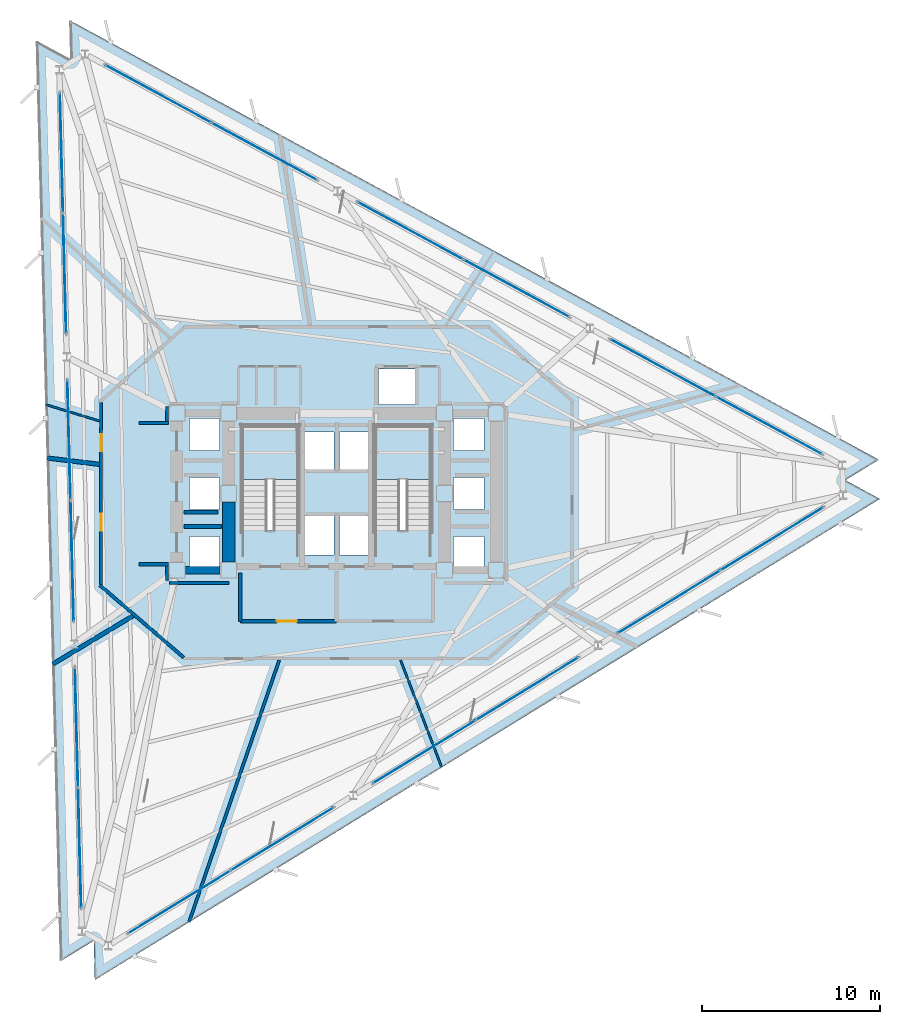
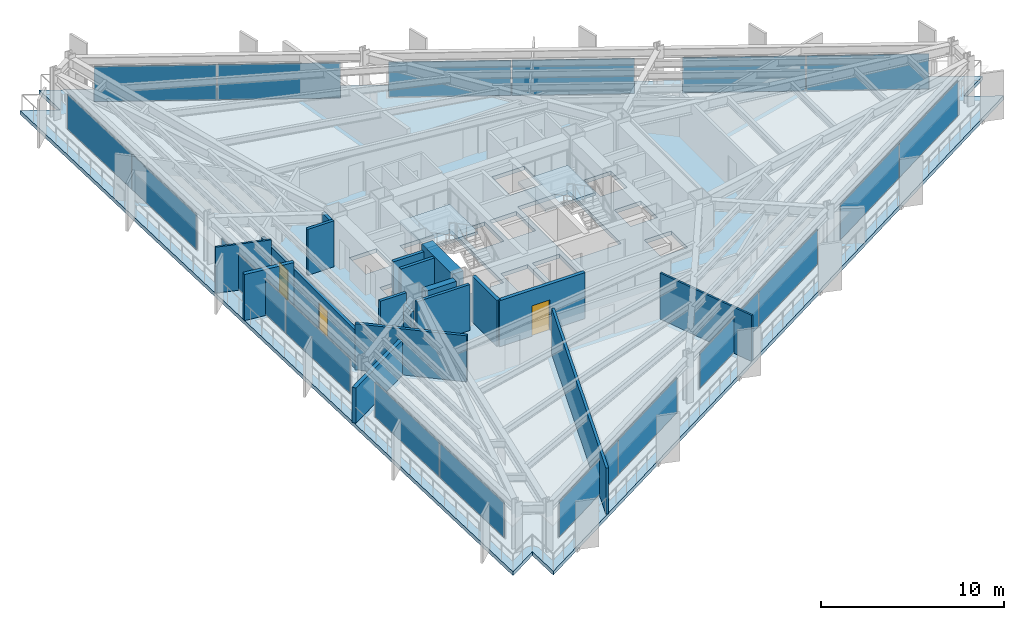
# One storey, part 7 of 14: 18 plates, 18 walls, 3 doors, 3 slabs, 3 openings, 11 elements without a shape of their own.
"""IFC4 building model written with IfcOpenShell, lengths in metres."""

from ifc_helpers import new_model, si_unit, direction, frame, frame_2d, origin, origin_2d, place, context, subcontext, project, spatial, polyline, rectangle, outline, extrude, material, layer, layer_set, type_object, element, fill, aggregate, save


model = new_model("IFC4")

# Units and contexts
model_context = context("Model", 3, precision=1e-05, world=origin(), true_north=direction((0.0, 1.0)))
body_context = subcontext(model_context, "Body", "Model", "MODEL_VIEW")
ifc_project = project(units=[si_unit("LENGTHUNIT", "METRE"), si_unit("AREAUNIT", "SQUARE_METRE"), si_unit("VOLUMEUNIT", "CUBIC_METRE"), si_unit("PLANEANGLEUNIT", "RADIAN"), si_unit("MASSUNIT", "GRAM", prefix="KILO")], contexts=[model_context])

# Site, building, storey
site_placement = place(None, origin())
site = spatial("IfcSite", under=ifc_project, at=site_placement, CompositionType="ELEMENT")
building_placement = place(site_placement, origin())
building = spatial("IfcBuilding", under=site, at=building_placement, Name="Rocaltana Carrier Exchange", CompositionType="ELEMENT")
storey_placement = place(building_placement, frame((0.0, 0.0, 32.320068359375)))
storey = spatial("IfcBuildingStorey", under=building, at=storey_placement, Name="L10", CompositionType="ELEMENT", Elevation=32.320068359375)

# Curtain wall, plates
ifc_material_1 = material(Name="Aluminium 6063-T6", Category="aluminium")
ifc_layer_1 = layer(ifc_material_1, 0.179931640625)
ifc_layer_set_1 = layer_set([ifc_layer_1], Name="Aluminium 6063-T6")
curtain_wall_type = type_object("IfcCurtainWallType", Name="Sandstone Spandrel Unitised Curtain Wall CW-01", PredefinedType="NOTDEFINED", material=ifc_layer_set_1)
curtain_wall_1_placement = place(storey_placement, origin())
curtain_wall_1 = element("IfcCurtainWall", 1, at=curtain_wall_1_placement, inside=storey, type_object=curtain_wall_type, Name="L10 CW-01 Run CW-L10-F1S1", PredefinedType="NOTDEFINED")
ifc_material_2 = material(Name="Tempered Laminated Glass", Category="glass")
ifc_layer_2 = layer(ifc_material_2, 0.0439453125)
ifc_layer_set_2 = layer_set([ifc_layer_2], Name="Tempered Laminated Glass")
plate_type = type_object("IfcPlateType", Name="CW-01 Stone-Insulated Vision Panel", PredefinedType="CURTAIN_PANEL", material=ifc_layer_set_2)
plate_1_placement = place(storey_placement, frame((24.23974609375, 3.8115234375, 0.06494140625), z_axis=(0.0, 0.0, 1.0), x_axis=(-0.878815639636, 0.477161473226, 0.0)))
plate_1 = element("IfcPlate", 2, at=plate_1_placement, type_object=plate_type, Name="CW-01 panel 1.1", PredefinedType="CURTAIN_PANEL", context=body_context, shape_type="SweptSolid", body=[
    extrude(rectangle(XDim=6.702392578125, YDim=0.0439453125, at=origin_2d()), origin(), (0.0, 0.0, 1.0), 2.347900390625),
])
plate_2_placement = place(storey_placement, frame((18.29248046875, 7.04052734375, 0.06494140625), z_axis=(0.0, 0.0, 1.0), x_axis=(-0.878815639636, 0.477161473226, 0.0)))
plate_2 = element("IfcPlate", 3, at=plate_2_placement, type_object=plate_type, Name="CW-01 panel 2.1", PredefinedType="CURTAIN_PANEL", context=body_context, shape_type="SweptSolid", body=[
    extrude(rectangle(XDim=6.702392578125, YDim=0.0439453125, at=origin_2d()), origin(), (0.0, 0.0, 1.0), 2.347900390625),
])
aggregate(curtain_wall_1, [plate_1, plate_2])

curtain_wall_2_placement = place(storey_placement, origin())
curtain_wall_2 = element("IfcCurtainWall", 4, at=curtain_wall_2_placement, inside=storey, type_object=curtain_wall_type, Name="L10 CW-01 Run CW-L10-F1S2", PredefinedType="NOTDEFINED")
plate_3_placement = place(storey_placement, frame((10.0908203125, 11.49365234375, 0.06494140625), z_axis=(0.0, 0.0, 1.0), x_axis=(-0.878814230428, 0.477164068636, 0.0)))
plate_3 = element("IfcPlate", 5, at=plate_3_placement, type_object=plate_type, Name="CW-01 panel 1.1", PredefinedType="CURTAIN_PANEL", context=body_context, shape_type="SweptSolid", body=[
    extrude(rectangle(XDim=6.70263671875, YDim=0.0439453125, at=origin_2d()), origin(), (0.0, 0.0, 1.0), 2.347900390625),
])
plate_4_placement = place(storey_placement, frame((4.1435546875, 14.722900390625, 0.06494140625), z_axis=(0.0, 0.0, 1.0), x_axis=(-0.878814230428, 0.477164068636, 0.0)))
plate_4 = element("IfcPlate", 6, at=plate_4_placement, type_object=plate_type, Name="CW-01 panel 2.1", PredefinedType="CURTAIN_PANEL", context=body_context, shape_type="SweptSolid", body=[
    extrude(rectangle(XDim=6.70263671875, YDim=0.0439453125, at=origin_2d()), origin(), (0.0, 0.0, 1.0), 2.347900390625),
])
aggregate(curtain_wall_2, [plate_3, plate_4])

curtain_wall_3_placement = place(storey_placement, origin())
curtain_wall_3 = element("IfcCurtainWall", 7, at=curtain_wall_3_placement, inside=storey, type_object=curtain_wall_type, Name="L10 CW-01 Run CW-L10-F1S3", PredefinedType="NOTDEFINED")
plate_5_placement = place(storey_placement, frame((-4.05810546875, 19.176025390625, 0.06494140625), z_axis=(0.0, 0.0, 1.0), x_axis=(-0.878818722982, 0.477155794406, 0.0)))
plate_5 = element("IfcPlate", 8, at=plate_5_placement, type_object=plate_type, Name="CW-01 panel 1.1", PredefinedType="CURTAIN_PANEL", context=body_context, shape_type="SweptSolid", body=[
    extrude(rectangle(XDim=6.702392578125, YDim=0.0439453125, at=origin_2d()), origin(), (0.0, 0.0, 1.0), 2.347900390625),
])
plate_6_placement = place(storey_placement, frame((-10.00537109375, 22.405029296875, 0.06494140625), z_axis=(0.0, 0.0, 1.0), x_axis=(-0.878818722982, 0.477155794406, 0.0)))
plate_6 = element("IfcPlate", 9, at=plate_6_placement, type_object=plate_type, Name="CW-01 panel 2.1", PredefinedType="CURTAIN_PANEL", context=body_context, shape_type="SweptSolid", body=[
    extrude(rectangle(XDim=6.702392578125, YDim=0.0439453125, at=origin_2d()), origin(), (0.0, 0.0, 1.0), 2.347900390625),
])
aggregate(curtain_wall_3, [plate_5, plate_6])

curtain_wall_4_placement = place(storey_placement, origin())
curtain_wall_4 = element("IfcCurtainWall", 10, at=curtain_wall_4_placement, inside=storey, type_object=curtain_wall_type, Name="L10 CW-01 Run CW-L10-F2S1", PredefinedType="NOTDEFINED")
plate_7_placement = place(storey_placement, frame((-15.420654296875, 19.086669921875, 0.06494140625), z_axis=(0.0, 0.0, 1.0), x_axis=(0.026183895077, -0.999657143044, 0.0)))
plate_7 = element("IfcPlate", 11, at=plate_7_placement, type_object=plate_type, Name="CW-01 panel 1.1", PredefinedType="CURTAIN_PANEL", context=body_context, shape_type="SweptSolid", body=[
    extrude(rectangle(XDim=6.702392578125, YDim=0.0439453125, at=origin_2d()), origin(), (0.0, 0.0, 1.0), 2.347900390625),
])
plate_8_placement = place(storey_placement, frame((-15.24365234375, 12.321533203125, 0.06494140625), z_axis=(0.0, 0.0, 1.0), x_axis=(0.026183895077, -0.999657143044, 0.0)))
plate_8 = element("IfcPlate", 12, at=plate_8_placement, type_object=plate_type, Name="CW-01 panel 2.1", PredefinedType="CURTAIN_PANEL", context=body_context, shape_type="SweptSolid", body=[
    extrude(rectangle(XDim=6.702392578125, YDim=0.0439453125, at=origin_2d()), origin(), (0.0, 0.0, 1.0), 2.347900390625),
])
aggregate(curtain_wall_4, [plate_7, plate_8])

curtain_wall_5_placement = place(storey_placement, origin())
curtain_wall_5 = element("IfcCurtainWall", 13, at=curtain_wall_5_placement, inside=storey, type_object=curtain_wall_type, Name="L10 CW-01 Run CW-L10-F2S2", PredefinedType="NOTDEFINED")
plate_9_placement = place(storey_placement, frame((-14.999267578125, 2.9921875, 0.06494140625), z_axis=(0.0, 0.0, 1.0), x_axis=(0.026176547142, -0.99965733548, 0.0)))
plate_9 = element("IfcPlate", 14, at=plate_9_placement, type_object=plate_type, Name="CW-01 panel 1.1", PredefinedType="CURTAIN_PANEL", context=body_context, shape_type="SweptSolid", body=[
    extrude(rectangle(XDim=6.702392578125, YDim=0.0439453125, at=origin_2d()), origin(), (0.0, 0.0, 1.0), 2.347900390625),
])
plate_10_placement = place(storey_placement, frame((-14.822021484375, -3.77294921875, 0.06494140625), z_axis=(0.0, 0.0, 1.0), x_axis=(0.026176547142, -0.99965733548, 0.0)))
plate_10 = element("IfcPlate", 15, at=plate_10_placement, type_object=plate_type, Name="CW-01 panel 2.1", PredefinedType="CURTAIN_PANEL", context=body_context, shape_type="SweptSolid", body=[
    extrude(rectangle(XDim=6.702392578125, YDim=0.0439453125, at=origin_2d()), origin(), (0.0, 0.0, 1.0), 2.347900390625),
])
aggregate(curtain_wall_5, [plate_9, plate_10])

curtain_wall_6_placement = place(storey_placement, origin())
curtain_wall_6 = element("IfcCurtainWall", 16, at=curtain_wall_6_placement, inside=storey, type_object=curtain_wall_type, Name="L10 CW-01 Run CW-L10-F2S3", PredefinedType="NOTDEFINED")
plate_11_placement = place(storey_placement, frame((-14.577880859375, -13.102294921875, 0.06494140625), z_axis=(0.0, 0.0, 1.0), x_axis=(0.026183895077, -0.999657143044, 0.0)))
plate_11 = element("IfcPlate", 17, at=plate_11_placement, type_object=plate_type, Name="CW-01 panel 1.1", PredefinedType="CURTAIN_PANEL", context=body_context, shape_type="SweptSolid", body=[
    extrude(rectangle(XDim=6.702392578125, YDim=0.0439453125, at=origin_2d()), origin(), (0.0, 0.0, 1.0), 2.347900390625),
])
plate_12_placement = place(storey_placement, frame((-14.400634765625, -19.867431640625, 0.06494140625), z_axis=(0.0, 0.0, 1.0), x_axis=(0.026183895077, -0.999657143044, 0.0)))
plate_12 = element("IfcPlate", 18, at=plate_12_placement, type_object=plate_type, Name="CW-01 panel 2.1", PredefinedType="CURTAIN_PANEL", context=body_context, shape_type="SweptSolid", body=[
    extrude(rectangle(XDim=6.702392578125, YDim=0.0439453125, at=origin_2d()), origin(), (0.0, 0.0, 1.0), 2.347900390625),
])
aggregate(curtain_wall_6, [plate_11, plate_12])

curtain_wall_7_placement = place(storey_placement, origin())
curtain_wall_7 = element("IfcCurtainWall", 19, at=curtain_wall_7_placement, inside=storey, type_object=curtain_wall_type, Name="L10 CW-01 Run CW-L10-F3S1", PredefinedType="NOTDEFINED")
plate_13_placement = place(storey_placement, frame((-8.819091796875, -22.898193359375, 0.06494140625), z_axis=(0.0, 0.0, 1.0), x_axis=(0.852636123996, 0.522505157925, 0.0)))
plate_13 = element("IfcPlate", 20, at=plate_13_placement, type_object=plate_type, Name="CW-01 panel 1.1", PredefinedType="CURTAIN_PANEL", context=body_context, shape_type="SweptSolid", body=[
    extrude(rectangle(XDim=6.70263671875, YDim=0.0439453125, at=origin_2d()), origin(), (0.0, 0.0, 1.0), 2.347900390625),
])
plate_14_placement = place(storey_placement, frame((-3.048828125, -19.362060546875, 0.06494140625), z_axis=(0.0, 0.0, 1.0), x_axis=(0.852636123996, 0.522505157925, 0.0)))
plate_14 = element("IfcPlate", 21, at=plate_14_placement, type_object=plate_type, Name="CW-01 panel 2.1", PredefinedType="CURTAIN_PANEL", context=body_context, shape_type="SweptSolid", body=[
    extrude(rectangle(XDim=6.70263671875, YDim=0.0439453125, at=origin_2d()), origin(), (0.0, 0.0, 1.0), 2.347900390625),
])
aggregate(curtain_wall_7, [plate_13, plate_14])

curtain_wall_8_placement = place(storey_placement, origin())
curtain_wall_8 = element("IfcCurtainWall", 22, at=curtain_wall_8_placement, inside=storey, type_object=curtain_wall_type, Name="L10 CW-01 Run CW-L10-F3S2", PredefinedType="NOTDEFINED")
plate_15_placement = place(storey_placement, frame((4.908447265625, -14.48583984375, 0.06494140625), z_axis=(0.0, 0.0, 1.0), x_axis=(0.852639399762, 0.522499812415, 0.0)))
plate_15 = element("IfcPlate", 23, at=plate_15_placement, type_object=plate_type, Name="CW-01 panel 1.1", PredefinedType="CURTAIN_PANEL", context=body_context, shape_type="SweptSolid", body=[
    extrude(rectangle(XDim=6.702392578125, YDim=0.0439453125, at=origin_2d()), origin(), (0.0, 0.0, 1.0), 2.347900390625),
])
plate_16_placement = place(storey_placement, frame((10.678466796875, -10.94970703125, 0.06494140625), z_axis=(0.0, 0.0, 1.0), x_axis=(0.852639399762, 0.522499812415, 0.0)))
plate_16 = element("IfcPlate", 24, at=plate_16_placement, type_object=plate_type, Name="CW-01 panel 2.1", PredefinedType="CURTAIN_PANEL", context=body_context, shape_type="SweptSolid", body=[
    extrude(rectangle(XDim=6.702392578125, YDim=0.0439453125, at=origin_2d()), origin(), (0.0, 0.0, 1.0), 2.347900390625),
])
aggregate(curtain_wall_8, [plate_15, plate_16])

curtain_wall_9_placement = place(storey_placement, origin())
curtain_wall_9 = element("IfcCurtainWall", 25, at=curtain_wall_9_placement, inside=storey, type_object=curtain_wall_type, Name="L10 CW-01 Run CW-L10-F3S3", PredefinedType="NOTDEFINED")
plate_17_placement = place(storey_placement, frame((18.6357421875, -6.07373046875, 0.06494140625), z_axis=(0.0, 0.0, 1.0), x_axis=(0.852639399762, 0.522499812415, 0.0)))
plate_17 = element("IfcPlate", 26, at=plate_17_placement, type_object=plate_type, Name="CW-01 panel 1.1", PredefinedType="CURTAIN_PANEL", context=body_context, shape_type="SweptSolid", body=[
    extrude(rectangle(XDim=6.702392578125, YDim=0.0439453125, at=origin_2d()), origin(), (0.0, 0.0, 1.0), 2.347900390625),
])
plate_18_placement = place(storey_placement, frame((24.406005859375, -2.53759765625, 0.06494140625), z_axis=(0.0, 0.0, 1.0), x_axis=(0.852639399762, 0.522499812415, 0.0)))
plate_18 = element("IfcPlate", 27, at=plate_18_placement, type_object=plate_type, Name="CW-01 panel 2.1", PredefinedType="CURTAIN_PANEL", context=body_context, shape_type="SweptSolid", body=[
    extrude(rectangle(XDim=6.702392578125, YDim=0.0439453125, at=origin_2d()), origin(), (0.0, 0.0, 1.0), 2.347900390625),
])
aggregate(curtain_wall_9, [plate_17, plate_18])

# Slab
ifc_material_3 = material(Name="Concrete C60/75", Category="concrete")
ifc_layer_3 = layer(ifc_material_3, 0.260009765625)
ifc_layer_set_3 = layer_set([ifc_layer_3], Name="Concrete C60/75")
slab_type_1 = type_object("IfcSlabType", Name="Low-Zone Tower Slab 260", PredefinedType="FLOOR", material=ifc_layer_set_3)
slab_1_placement = place(storey_placement, frame((0.0, 0.0, -0.260009765625)))
element("IfcSlab", 28, at=slab_1_placement, inside=storey, type_object=slab_type_1, Name="L10 Structural Floor Slab", PredefinedType="FLOOR", context=body_context, shape_type="SweptSolid", body=[
    extrude(outline(polyline([(30.444580078125, -0.30322265625), (28.51123046875, 0.74658203125), (30.38720703125, 1.89599609375), (-14.959716796875, 26.517578125), (-14.902099609375, 24.318115234375), (-16.835693359375, 25.367919921875), (-15.48486328125, -26.21435546875), (-13.609130859375, -25.064697265625), (-13.551513671875, -27.26416015625), (30.444580078125, -0.30322265625)]), holes=[polyline([(-5.300048828125, -2.06005859375), (-2.139892578125, -2.06005859375), (-2.139892578125, 3.800048828125), (-5.300048828125, 3.800048828125), (-5.300048828125, -2.06005859375)]), polyline([(2.139892578125, -2.06005859375), (5.300048828125, -2.06005859375), (5.300048828125, 3.800048828125), (2.139892578125, 3.800048828125), (2.139892578125, -2.06005859375)]), polyline([(-1.85009765625, -3.449951171875), (-0.14990234375, -3.449951171875), (-0.14990234375, -1.25), (-1.85009765625, -1.25), (-1.85009765625, -3.449951171875)]), polyline([(0.14990234375, -3.449951171875), (1.85009765625, -3.449951171875), (1.85009765625, -1.25), (0.14990234375, -1.25), (0.14990234375, -3.449951171875)]), polyline([(2.35009765625, 4.97998046875), (4.39990234375, 4.97998046875), (4.39990234375, 6.97998046875), (2.35009765625, 6.97998046875), (2.35009765625, 4.97998046875)]), polyline([(-1.85009765625, 1.35009765625), (-0.14990234375, 1.35009765625), (-0.14990234375, 3.449951171875), (-1.85009765625, 3.449951171875), (-1.85009765625, 1.35009765625)]), polyline([(0.14990234375, 1.35009765625), (1.85009765625, 1.35009765625), (1.85009765625, 3.449951171875), (0.14990234375, 3.449951171875), (0.14990234375, 1.35009765625)]), polyline([(-8.25, -4.199951171875), (-6.550048828125, -4.199951171875), (-6.550048828125, -2.39990234375), (-8.25, -2.39990234375), (-8.25, -4.199951171875)]), polyline([(-8.25, -0.89990234375), (-6.550048828125, -0.89990234375), (-6.550048828125, 0.89990234375), (-8.25, 0.89990234375), (-8.25, -0.89990234375)]), polyline([(-8.25, 2.39990234375), (-6.550048828125, 2.39990234375), (-6.550048828125, 4.199951171875), (-8.25, 4.199951171875), (-8.25, 2.39990234375)]), polyline([(6.550048828125, -4.199951171875), (8.25, -4.199951171875), (8.25, -2.39990234375), (6.550048828125, -2.39990234375), (6.550048828125, -4.199951171875)]), polyline([(6.550048828125, -0.89990234375), (8.25, -0.89990234375), (8.25, 0.89990234375), (6.550048828125, 0.89990234375), (6.550048828125, -0.89990234375)]), polyline([(6.550048828125, 2.39990234375), (8.25, 2.39990234375), (8.25, 4.199951171875), (6.550048828125, 4.199951171875), (6.550048828125, 2.39990234375)])]), origin(), (0.0, 0.0, 1.0), 0.260009765625),
])

# Stair, slab
ifc_material_4 = material(Name="Precast concrete C45/55", Category="concrete")
stair_type = type_object("IfcStairType", Name="Standard Dog-Leg Stair 160", PredefinedType="HALF_TURN_STAIR", material=ifc_material_4)
stair_1_placement = place(storey_placement, origin())
stair_1 = element("IfcStair", 29, at=stair_1_placement, inside=storey, type_object=stair_type, Name="L10 Core West Exit Stair ST-1", PredefinedType="HALF_TURN_STAIR")
ifc_material_5 = material(Name="Precast concrete C45/55", Category="concrete")
ifc_layer_4 = layer(ifc_material_5, 0.199951171875)
ifc_layer_set_4 = layer_set([ifc_layer_4], Name="Precast concrete C45/55")
slab_type_2 = type_object("IfcSlabType", Name="Precast Stair Half-Landing 200", PredefinedType="LANDING", material=ifc_layer_set_4)
slab_2_placement = place(storey_placement, frame((0.0, 0.0, 1.47998046875)))
slab_2 = element("IfcSlab", 30, at=slab_2_placement, type_object=slab_type_2, Name="ST-1 landing 1", PredefinedType="LANDING", context=body_context, shape_type="SweptSolid", body=[
    extrude(outline(polyline([(-2.139892578125, 0.780029296875), (-2.139892578125, 3.800048828125), (-5.300048828125, 3.800048828125), (-5.300048828125, 0.780029296875), (-2.139892578125, 0.780029296875)])), origin(), (0.0, 0.0, 1.0), 0.199951171875),
])
aggregate(stair_1, [slab_2])

stair_2_placement = place(storey_placement, origin())
stair_2 = element("IfcStair", 31, at=stair_2_placement, inside=storey, type_object=stair_type, Name="L10 Core East Exit Stair ST-2", PredefinedType="HALF_TURN_STAIR")
slab_3_placement = place(storey_placement, frame((0.0, 0.0, 1.47998046875)))
slab_3 = element("IfcSlab", 32, at=slab_3_placement, type_object=slab_type_2, Name="ST-2 landing 1", PredefinedType="LANDING", context=body_context, shape_type="SweptSolid", body=[
    extrude(outline(polyline([(5.300048828125, 0.780029296875), (5.300048828125, 3.800048828125), (2.139892578125, 3.800048828125), (2.139892578125, 0.780029296875), (5.300048828125, 0.780029296875)])), origin(), (0.0, 0.0, 1.0), 0.199951171875),
])
aggregate(stair_2, [slab_3])

# Walls
ifc_material_6 = material(Name="Double Acoustic Gypsum Partition", Category="gypsum")
ifc_layer_5 = layer(ifc_material_6, 0.159912109375)
ifc_layer_set_5 = layer_set([ifc_layer_5], Name="Double Acoustic Gypsum Partition")
wall_type_1 = type_object("IfcWallType", Name="Acoustic Studio Partition 160 EI60", PredefinedType="PARTITIONING", material=ifc_layer_set_5)
wall_1_placement = place(storey_placement, frame((-3.212646484375, -9.330078125, 0.0), z_axis=(0.0, 0.0, 1.0), x_axis=(-0.325559016245, -0.945521722089, 0.0)))
element("IfcWall", 33, at=wall_1_placement, inside=storey, type_object=wall_type_1, Name="L10 Suite Divider Wall D2", PredefinedType="PARTITIONING", context=body_context, shape_type="SweptSolid", body=[
    extrude(rectangle(XDim=15.531494140625, YDim=0.159912109375, at=frame_2d((7.765625, 0.0))), origin(), (0.0, 0.0, 1.0), 3.072998046875),
])
ifc_material_7 = material(Name="Concrete C50/60", Category="concrete")
ifc_layer_6 = layer(ifc_material_7, 0.39990234375)
ifc_layer_set_6 = layer_set([ifc_layer_6], Name="Concrete C50/60")
wall_type_2 = type_object("IfcWallType", Name="Core Internal Shear Wall 400", PredefinedType="SHEAR", material=ifc_layer_set_6)
wall_2_placement = place(storey_placement, frame((-8.47509765625, -4.300048828125, 0.0), z_axis=(0.0, 0.0, 1.0), x_axis=(1.0, 0.0, 0.0)))
element("IfcWall", 34, at=wall_2_placement, inside=storey, type_object=wall_type_2, Name="L10 Core Shear Wall CW-WWS", PredefinedType="SHEAR", context=body_context, shape_type="SweptSolid", body=[
    extrude(rectangle(XDim=1.9501953125, YDim=0.39990234375, at=frame_2d((0.97509765625, 0.0))), origin(), (0.0, 0.0, 1.0), 3.097900390625),
])
ifc_material_8 = material(Name="Concrete C60/75", Category="concrete")
ifc_layer_7 = layer(ifc_material_8, 0.699951171875)
ifc_layer_set_7 = layer_set([ifc_layer_7], Name="Concrete C60/75")
wall_type_3 = type_object("IfcWallType", Name="Core Shear Wall 700", PredefinedType="SHEAR", material=ifc_layer_set_7)
wall_3_placement = place(storey_placement, frame((-6.050048828125, -3.824951171875, 0.0), z_axis=(0.0, 0.0, 1.0), x_axis=(0.0, 1.0, 0.0)))
element("IfcWall", 35, at=wall_3_placement, inside=storey, type_object=wall_type_3, Name="L10 Core Shear Wall CW-WS", PredefinedType="SHEAR", context=body_context, shape_type="SweptSolid", body=[
    extrude(rectangle(XDim=3.349853515625, YDim=0.699951171875, at=frame_2d((1.6748046875, 0.0))), origin(), (0.0, 0.0, 1.0), 3.097900390625),
])
ifc_material_9 = material(Name="Gypsum & Steel Stud Partition", Category="steel")
ifc_layer_8 = layer(ifc_material_9, 0.179931640625)
ifc_layer_set_8 = layer_set([ifc_layer_8], Name="Gypsum & Steel Stud Partition")
wall_type_4 = type_object("IfcWallType", Name="Corridor Fire Partition 180 EI60", PredefinedType="PARTITIONING", material=ifc_layer_set_8)
wall_4_placement = place(storey_placement, frame((-8.568115234375, -9.191162109375, 0.0), z_axis=(0.0, 0.0, 1.0), x_axis=(-0.757556899173, 0.652769135694, 0.0)))
element("IfcWall", 36, at=wall_4_placement, inside=storey, type_object=wall_type_4, Name="L10 Corridor Partition 6", PredefinedType="PARTITIONING", context=body_context, shape_type="SweptSolid", body=[
    extrude(rectangle(XDim=6.204345703125, YDim=0.179931640625, at=frame_2d((3.10205078125, 0.0))), origin(), (0.0, 0.0, 1.0), 3.072998046875),
])

# Wall, openings, doors
wall_5_placement = place(storey_placement, frame((-13.199951171875, -5.110107421875, 0.0), z_axis=(0.0, 0.0, 1.0), x_axis=(0.0, 1.0, 0.0)))
wall_5 = element("IfcWall", 37, at=wall_5_placement, inside=storey, type_object=wall_type_4, Name="L10 Corridor Partition 7", PredefinedType="PARTITIONING", context=body_context, shape_type="SweptSolid", body=[
    extrude(rectangle(XDim=10.22021484375, YDim=0.179931640625, at=frame_2d((5.110107421875, 0.0))), origin(), (0.0, 0.0, 1.0), 2.5869140625),
])
opening_1_placement = place(wall_5_placement, frame((3.020263671875, 0.0, 0.0)))
opening_1 = element("IfcOpeningElement", 38, at=opening_1_placement, cuts=wall_5, Name="Opening D-RM098", PredefinedType="OPENING", context=body_context, shape_type="SweptSolid", body=[
    extrude(rectangle(XDim=0.9599609375, YDim=2.02001953125, at=frame_2d((0.47998046875, 1.010009765625))), frame((0.0, 0.099853515625, 0.0), z_axis=(0.0, -1.0, 0.0), x_axis=(1.0, 0.0, 0.0)), (0.0, 0.0, 1.0), 0.199951171875),
])
opening_2_placement = place(wall_5_placement, frame((7.474365234375, 0.0, 0.0)))
opening_2 = element("IfcOpeningElement", 39, at=opening_2_placement, cuts=wall_5, Name="Opening D-RM098", PredefinedType="OPENING", context=body_context, shape_type="SweptSolid", body=[
    extrude(rectangle(XDim=0.9599609375, YDim=2.02001953125, at=frame_2d((0.47998046875, 1.010009765625))), frame((0.0, 0.099853515625, 0.0), z_axis=(0.0, -1.0, 0.0), x_axis=(1.0, 0.0, 0.0)), (0.0, 0.0, 1.0), 0.199951171875),
])
ifc_material_10 = material(Name="Engineered Hardwood Timber", Category="wood")
door_type_1 = type_object("IfcDoorType", Name="Workspace Single Door 960x2020", OperationType="NOTDEFINED", PredefinedType="DOOR", material=ifc_material_10)
door_1_placement = place(opening_1_placement, origin())
door_1 = element("IfcDoor", 40, at=door_1_placement, inside=storey, type_object=door_type_1, Name="L10 Peering Conference Room Entrance Door", OperationType="SINGLE_SWING_RIGHT", OverallHeight=2.02001953125, OverallWidth=0.9599609375, PredefinedType="DOOR", context=body_context, shape_type="SweptSolid", body=[
    extrude(rectangle(XDim=0.9599609375, YDim=2.02001953125, at=frame_2d((0.47998046875, 1.010009765625))), frame((0.0, 0.02490234375, 0.0), z_axis=(0.0, -1.0, 0.0), x_axis=(1.0, 0.0, 0.0)), (0.0, 0.0, 1.0), 0.050048828125),
])
fill(opening_1, door_1)
door_2_placement = place(opening_2_placement, origin())
door_2 = element("IfcDoor", 41, at=door_2_placement, inside=storey, type_object=door_type_1, Name="L10 Cloud Architecture Office Entrance Door", OperationType="SINGLE_SWING_LEFT", OverallHeight=2.02001953125, OverallWidth=0.9599609375, PredefinedType="DOOR", context=body_context, shape_type="SweptSolid", body=[
    extrude(rectangle(XDim=0.9599609375, YDim=2.02001953125, at=frame_2d((0.47998046875, 1.010009765625))), frame((0.0, 0.02490234375, 0.0), z_axis=(0.0, -1.0, 0.0), x_axis=(1.0, 0.0, 0.0)), (0.0, 0.0, 1.0), 0.050048828125),
])
fill(opening_2, door_2)

# Walls
wall_6_placement = place(storey_placement, frame((-9.510009765625, 4.8701171875, 0.0), z_axis=(0.0, 0.0, 1.0), x_axis=(0.0, -1.0, 0.0)))
element("IfcWall", 42, at=wall_6_placement, inside=storey, type_object=wall_type_4, Name="L10 Corridor Partition 9", PredefinedType="PARTITIONING", context=body_context, shape_type="SweptSolid", body=[
    extrude(rectangle(XDim=0.820068359375, YDim=0.179931640625, at=frame_2d((0.41015625, 0.0))), origin(), (0.0, 0.0, 1.0), 3.072998046875),
])
for number, where, z_axis, x_axis, name in (
    (43, (-9.419921875, 3.9599609375, 0.0), (0.0, 0.0, 1.0), (-1.0, 0.0, 0.0), "L10 Corridor Partition 10"),
    (44, (-11.070068359375, -3.9599609375, 0.0), (0.0, 0.0, 1.0), (1.0, 0.0, 0.0), "L10 Corridor Partition 11"),
):
    element("IfcWall", number, at=place(storey_placement, frame(where, z_axis=z_axis, x_axis=x_axis)), inside=storey, type_object=wall_type_4, Name=name, PredefinedType="PARTITIONING", context=body_context, shape_type="SweptSolid", body=[
        extrude(rectangle(XDim=1.650146484375, YDim=0.179931640625, at=frame_2d((0.8251953125, 0.0))), origin(), (0.0, 0.0, 1.0), 3.072998046875),
    ])
wall_7_placement = place(storey_placement, frame((-9.510009765625, -4.050048828125, 0.0), z_axis=(0.0, 0.0, 1.0), x_axis=(0.0, -1.0, 0.0)))
element("IfcWall", 45, at=wall_7_placement, inside=storey, type_object=wall_type_4, Name="L10 Corridor Partition 12", PredefinedType="PARTITIONING", context=body_context, shape_type="SweptSolid", body=[
    extrude(rectangle(XDim=0.820068359375, YDim=0.179931640625, at=frame_2d((0.41015625, 0.0))), origin(), (0.0, 0.0, 1.0), 2.35791015625),
])
wall_8_placement = place(storey_placement, frame((-9.3701171875, -5.010009765625, 0.0), z_axis=(0.0, 0.0, 1.0), x_axis=(1.0, 0.0, 0.0)))
element("IfcWall", 46, at=wall_8_placement, inside=storey, type_object=wall_type_4, Name="L10 Corridor Partition 13", PredefinedType="PARTITIONING", context=body_context, shape_type="SweptSolid", body=[
    extrude(rectangle(XDim=3.340087890625, YDim=0.179931640625, at=frame_2d((1.669921875, 0.0))), origin(), (0.0, 0.0, 1.0), 3.072998046875),
])
ifc_material_11 = material(Name="Aluminium 6063-T6 & Acoustic Glass", Category="aluminium")
ifc_layer_9 = layer(ifc_material_11, 0.114990234375)
ifc_layer_set_9 = layer_set([ifc_layer_9], Name="Aluminium 6063-T6 & Acoustic Glass")
wall_type_5 = type_object("IfcWallType", Name="Demountable Glazed Lab Partition 115", PredefinedType="MOVABLE", material=ifc_layer_set_9)
wall_9_placement = place(storey_placement, frame((3.58154296875, -9.330078125, 0.0), z_axis=(0.0, 0.0, 1.0), x_axis=(0.358341066906, -0.933590745332, 0.0)))
element("IfcWall", 47, at=wall_9_placement, inside=storey, type_object=wall_type_5, Name="L10 Suite Divider Wall D3", PredefinedType="MOVABLE", context=body_context, shape_type="SweptSolid", body=[
    extrude(rectangle(XDim=6.43701171875, YDim=0.114990234375, at=frame_2d((3.218505859375, 0.0))), origin(), (0.0, 0.0, 1.0), 3.072998046875),
])
wall_10_placement = place(storey_placement, frame((-13.280029296875, 4.06005859375, 0.0), z_axis=(0.0, 0.0, 1.0), x_axis=(-0.956293781209, 0.292407599118, 0.0)))
element("IfcWall", 48, at=wall_10_placement, inside=storey, type_object=wall_type_5, Name="L10 Suite Divider Wall D9", PredefinedType="MOVABLE", context=body_context, shape_type="SweptSolid", body=[
    extrude(rectangle(XDim=3.1494140625, YDim=0.114990234375, at=frame_2d((1.57470703125, 0.0))), origin(), (0.0, 0.0, 1.0), 3.072998046875),
])
ifc_material_12 = material(Name="Autoclaved Aerated Concrete C30/37", Category="concrete")
ifc_layer_10 = layer(ifc_material_12, 0.219970703125)
ifc_layer_set_10 = layer_set([ifc_layer_10], Name="Autoclaved Aerated Concrete C30/37")
wall_type_6 = type_object("IfcWallType", Name="Firefighting Lobby Wall 220 EI120", PredefinedType="PARTITIONING", material=ifc_layer_set_10)
wall_11_placement = place(storey_placement, frame((-5.39990234375, -7.159912109375, 0.0), z_axis=(0.0, 0.0, 1.0), x_axis=(0.0, 1.0, 0.0)))
element("IfcWall", 49, at=wall_11_placement, inside=storey, type_object=wall_type_6, Name="L10 FFL Lobby 1 West Wall", PredefinedType="PARTITIONING", context=body_context, shape_type="SweptSolid", body=[
    extrude(rectangle(XDim=2.7099609375, YDim=0.219970703125, at=frame_2d((1.35498046875, 0.0))), origin(), (0.0, 0.0, 1.0), 3.072998046875),
])

# Wall, opening, door
wall_12_placement = place(storey_placement, frame((-5.39990234375, -7.159912109375, 0.0), z_axis=(0.0, 0.0, 1.0), x_axis=(1.0, 0.0, 0.0)))
wall_12 = element("IfcWall", 50, at=wall_12_placement, inside=storey, type_object=wall_type_6, Name="L10 FFL Lobby 1 South Wall", PredefinedType="PARTITIONING", context=body_context, shape_type="SweptSolid", body=[
    extrude(rectangle(XDim=5.39990234375, YDim=0.219970703125, at=frame_2d((2.699951171875, 0.0))), origin(), (0.0, 0.0, 1.0), 3.072998046875),
])
opening_3_placement = place(wall_12_placement, frame((2.050048828125, 0.0, 0.0)))
opening_3 = element("IfcOpeningElement", 51, at=opening_3_placement, cuts=wall_12, Name="Opening D-FF115", PredefinedType="OPENING", context=body_context, shape_type="SweptSolid", body=[
    extrude(rectangle(XDim=1.1201171875, YDim=2.02001953125, at=frame_2d((0.56005859375, 1.010009765625))), frame((0.0, 0.119873046875, 0.0), z_axis=(0.0, -1.0, 0.0), x_axis=(1.0, 0.0, 0.0)), (0.0, 0.0, 1.0), 0.239990234375),
])
ifc_material_13 = material(Name="Hollow Metal Fire Door Assembly", Category="steel")
door_type_2 = type_object("IfcDoorType", Name="Firefighting Lobby Door 1120x2020 FD60S", OperationType="NOTDEFINED", PredefinedType="DOOR", material=ifc_material_13)
door_3_placement = place(opening_3_placement, origin())
door_3 = element("IfcDoor", 52, at=door_3_placement, inside=storey, type_object=door_type_2, Name="L10 Firefighting Lift Lobby 1 Door", OperationType="SINGLE_SWING_RIGHT", OverallHeight=2.02001953125, OverallWidth=1.1201171875, PredefinedType="DOOR", context=body_context, shape_type="SweptSolid", body=[
    extrude(rectangle(XDim=1.1201171875, YDim=2.02001953125, at=frame_2d((0.56005859375, 1.010009765625))), frame((0.0, 0.02490234375, 0.0), z_axis=(0.0, -1.0, 0.0), x_axis=(1.0, 0.0, 0.0)), (0.0, 0.0, 1.0), 0.050048828125),
])
fill(opening_3, door_3)

# Walls
ifc_material_14 = material(Name="Acoustic Calcium Silicate Partition", Category="gypsum")
ifc_layer_11 = layer(ifc_material_14, 0.239990234375)
ifc_layer_set_11 = layer_set([ifc_layer_11], Name="Acoustic Calcium Silicate Partition")
wall_type_7 = type_object("IfcWallType", Name="Heavy Lab Partition 240 EI90", PredefinedType="PARTITIONING", material=ifc_layer_set_11)
wall_13_placement = place(storey_placement, frame((-11.40478515625, -6.8525390625, 0.0), z_axis=(0.0, 0.0, 1.0), x_axis=(-0.857148529273, -0.515069314524, 0.0)))
element("IfcWall", 53, at=wall_13_placement, inside=storey, type_object=wall_type_7, Name="L10 Suite Divider Wall D1", PredefinedType="PARTITIONING", context=body_context, shape_type="SweptSolid", body=[
    extrude(rectangle(XDim=5.257080078125, YDim=0.239990234375, at=frame_2d((2.62841796875, 0.0))), origin(), (0.0, 0.0, 1.0), 2.35791015625),
])
wall_14_placement = place(storey_placement, frame((-13.280029296875, 1.630615234375, 0.0), z_axis=(0.0, 0.0, 1.0), x_axis=(-0.992548714485, 0.121848468903, 0.0)))
element("IfcWall", 54, at=wall_14_placement, inside=storey, type_object=wall_type_7, Name="L10 Suite Divider Wall D10", PredefinedType="PARTITIONING", context=body_context, shape_type="SweptSolid", body=[
    extrude(rectangle(XDim=2.955322265625, YDim=0.239990234375, at=frame_2d((1.4775390625, 0.0))), origin(), (0.0, 0.0, 1.0), 3.072998046875),
])
ifc_material_15 = material(Name="Reinforced Concrete Block C35/45", Category="concrete")
ifc_layer_12 = layer(ifc_material_15, 0.199951171875)
ifc_layer_set_12 = layer_set([ifc_layer_12], Name="Reinforced Concrete Block C35/45")
wall_type_8 = type_object("IfcWallType", Name="Lift Hoistway Enclosure Wall 200 EI120", PredefinedType="PARTITIONING", material=ifc_layer_set_12)
wall_15_placement = place(storey_placement, frame((-8.550048828125, -1.85009765625, 0.0), z_axis=(0.0, 0.0, 1.0), x_axis=(1.0, 0.0, 0.0)))
element("IfcWall", 55, at=wall_15_placement, inside=storey, type_object=wall_type_8, Name="L10 Low-Rise Shaft Divider 1", PredefinedType="PARTITIONING", context=body_context, shape_type="SweptSolid", body=[
    extrude(rectangle(XDim=2.10009765625, YDim=0.199951171875, at=frame_2d((1.050048828125, 0.0))), origin(), (0.0, 0.0, 1.0), 3.072998046875),
])
wall_16_placement = place(storey_placement, frame((-8.550048828125, -1.050048828125, 0.0), z_axis=(0.0, 0.0, 1.0), x_axis=(1.0, 0.0, 0.0)))
element("IfcWall", 56, at=wall_16_placement, inside=storey, type_object=wall_type_8, Name="L10 Low-Rise Center Shaft Wall South", PredefinedType="PARTITIONING", context=body_context, shape_type="SweptSolid", body=[
    extrude(rectangle(XDim=1.91015625, YDim=0.199951171875, at=frame_2d((0.955078125, 0.0))), origin(), (0.0, 0.0, 1.0), 3.072998046875),
])

save(model, "model.ifc")
